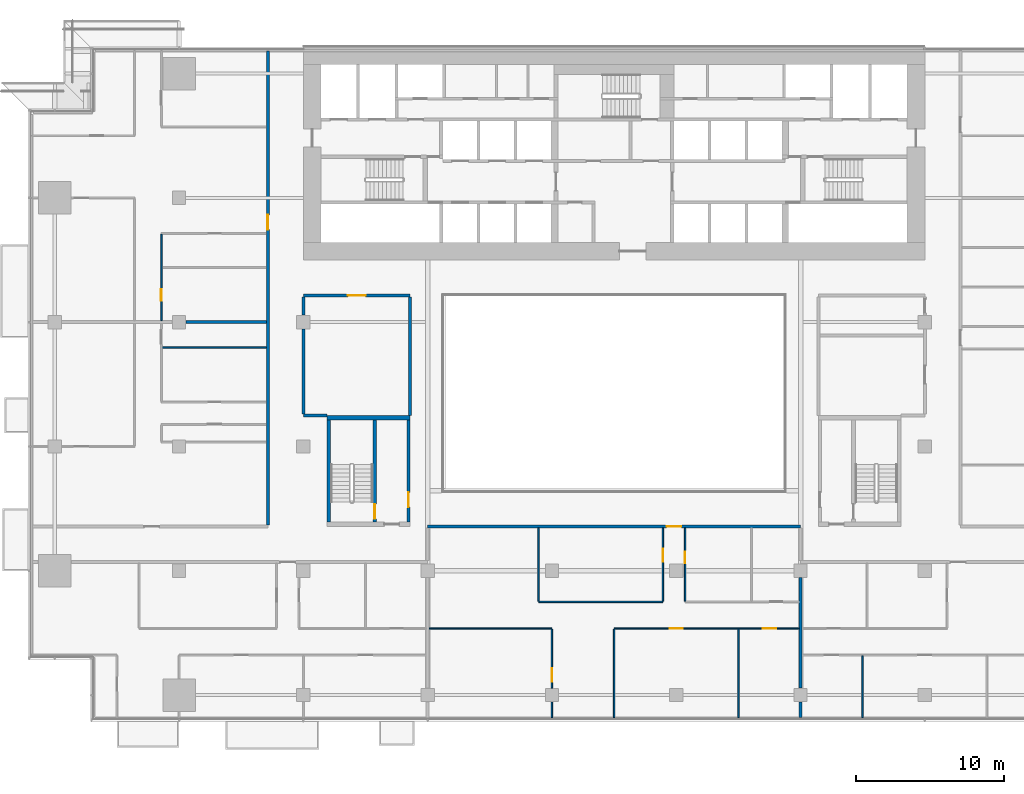
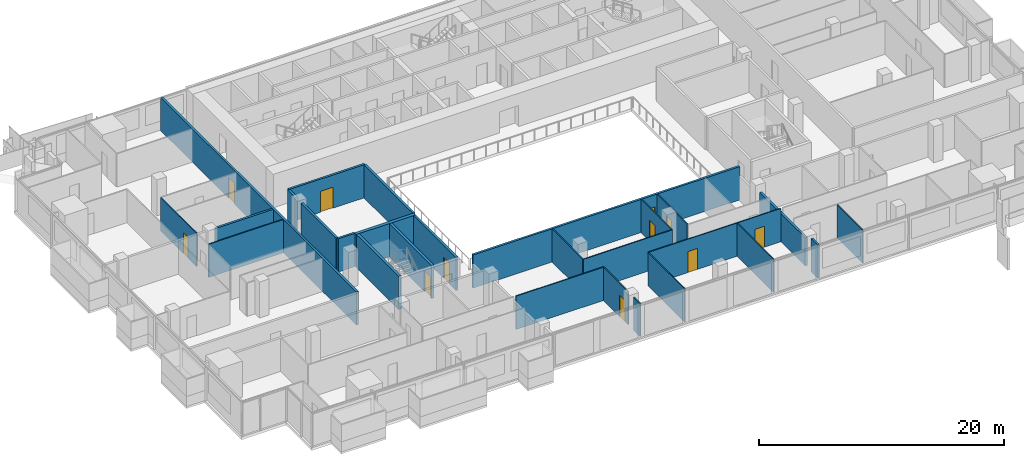
# One storey, part 18 of 29: 27 walls, 11 doors, 11 openings.
"""IFC4 building model written with IfcOpenShell, lengths in metres."""

from ifc_helpers import new_model, si_unit, direction, frame, frame_2d, origin, place, context, subcontext, project, spatial, rectangle, extrude, material, layer, layer_set, type_object, element, fill, save


model = new_model("IFC4")

# Units and contexts
model_context = context("Model", 3, precision=1e-05, world=origin(), true_north=direction((0.0, 1.0)))
body_context = subcontext(model_context, "Body", "Model", "MODEL_VIEW")
ifc_project = project(units=[si_unit("LENGTHUNIT", "METRE"), si_unit("AREAUNIT", "SQUARE_METRE"), si_unit("VOLUMEUNIT", "CUBIC_METRE"), si_unit("PLANEANGLEUNIT", "RADIAN"), si_unit("MASSUNIT", "GRAM", prefix="KILO")], contexts=[model_context])

# Site, building, storey
site_placement = place(None, origin())
site = spatial("IfcSite", under=ifc_project, at=site_placement, CompositionType="ELEMENT")
building_placement = place(site_placement, origin())
building = spatial("IfcBuilding", under=site, at=building_placement, Name="Saffron Gate Tower", CompositionType="ELEMENT")
storey_placement = place(building_placement, frame((0.0, 0.0, 48.0)))
storey = spatial("IfcBuildingStorey", under=building, at=storey_placement, Name="L10", CompositionType="ELEMENT", Elevation=48.0)

# Wall, opening, door
ifc_material_1 = material(Name="Gypsum board partition on steel studs", Category="steel")
ifc_layer_1 = layer(ifc_material_1, 0.199951171875)
ifc_layer_set_1 = layer_set([ifc_layer_1], Name="CW10 Core partition 200")
wall_type_1 = type_object("IfcWallType", Name="CW10 Core partition 200", PredefinedType="PARTITIONING", material=ifc_layer_set_1)
wall_1_placement = place(storey_placement, frame((73.699951171875, 43.5, 0.0), z_axis=(0.0, 0.0, 1.0), x_axis=(0.0, 1.0, 0.0)))
wall_1 = element("IfcWall", 1, at=wall_1_placement, inside=storey, type_object=wall_type_1, Name="Wall CW10-L10-D-4", PredefinedType="PARTITIONING", context=body_context, shape_type="SweptSolid", body=[
    extrude(rectangle(XDim=6.89990234375, YDim=0.199951171875, at=frame_2d((3.449951171875, 0.0))), origin(), (0.0, 0.0, 1.0), 3.320068359375),
])
opening_1_placement = place(wall_1_placement, frame((1.0, 0.0, 0.0)))
opening_1 = element("IfcOpeningElement", 2, at=opening_1_placement, cuts=wall_1, Name="Opening CR-19", PredefinedType="OPENING", context=body_context, shape_type="SweptSolid", body=[
    extrude(rectangle(XDim=1.0, YDim=2.10009765625, at=frame_2d((0.5, 1.050048828125))), frame((0.0, 0.10986328125, 0.0), z_axis=(0.0, -1.0, 0.0), x_axis=(1.0, 0.0, 0.0)), (0.0, 0.0, 1.0), 0.219970703125),
])
ifc_material_2 = material(Name="Steel fire door set", Category="steel")
door_type_1 = type_object("IfcDoorType", Name="CD4 Lobby door 1000x2100 EI 120", OperationType="NOTDEFINED", PredefinedType="DOOR", material=ifc_material_2)
door_1_placement = place(opening_1_placement, origin())
door_1 = element("IfcDoor", 3, at=door_1_placement, inside=storey, type_object=door_type_1, Name="DOOR CR-19", OperationType="SINGLE_SWING_RIGHT", OverallHeight=2.10009765625, OverallWidth=1.0, PredefinedType="DOOR", context=body_context, shape_type="SweptSolid", body=[
    extrude(rectangle(XDim=1.0, YDim=2.10009765625, at=frame_2d((0.5, 1.050048828125))), frame((0.0, 0.02490234375, 0.0), z_axis=(0.0, -1.0, 0.0), x_axis=(1.0, 0.0, 0.0)), (0.0, 0.0, 1.0), 0.050048828125),
])
fill(opening_1, door_1)

# Wall
ifc_material_3 = material(Name="Concrete C70", Category="concrete")
ifc_layer_2 = layer(ifc_material_3, 0.25)
ifc_layer_set_2 = layer_set([ifc_layer_2], Name="CW2 RC core wall 250 C70")
wall_type_2 = type_object("IfcWallType", Name="CW2 RC core wall 250 C70", PredefinedType="SOLIDWALL", material=ifc_layer_set_2)
wall_2_placement = place(storey_placement, frame((68.324951171875, 43.5, 0.0), z_axis=(0.0, 0.0, 1.0), x_axis=(0.0, 1.0, 0.0)))
element("IfcWall", 4, at=wall_2_placement, inside=storey, type_object=wall_type_2, Name="Wall CW2-L10-D-2", PredefinedType="SOLIDWALL", context=body_context, shape_type="SweptSolid", body=[
    extrude(rectangle(XDim=6.89990234375, YDim=0.25, at=frame_2d((3.449951171875, 0.0))), origin(), (0.0, 0.0, 1.0), 3.320068359375),
])

# Wall, opening, door
wall_3_placement = place(storey_placement, frame((71.425048828125, 43.5, 0.0), z_axis=(0.0, 0.0, 1.0), x_axis=(0.0, 1.0, 0.0)))
wall_3 = element("IfcWall", 5, at=wall_3_placement, inside=storey, type_object=wall_type_2, Name="Wall CW2-L10-D-3", PredefinedType="SOLIDWALL", context=body_context, shape_type="SweptSolid", body=[
    extrude(rectangle(XDim=6.89990234375, YDim=0.25, at=frame_2d((3.449951171875, 0.0))), origin(), (0.0, 0.0, 1.0), 3.320068359375),
])
opening_2_placement = place(wall_3_placement, frame((0.199951171875, 0.0, 0.0)))
opening_2 = element("IfcOpeningElement", 6, at=opening_2_placement, cuts=wall_3, Name="Opening CR-20", PredefinedType="OPENING", context=body_context, shape_type="SweptSolid", body=[
    extrude(rectangle(XDim=1.0, YDim=2.10009765625, at=frame_2d((0.5, 1.050048828125))), frame((0.0, 0.135009765625, 0.0), z_axis=(0.0, -1.0, 0.0), x_axis=(1.0, 0.0, 0.0)), (0.0, 0.0, 1.0), 0.27001953125),
])
door_type_2 = type_object("IfcDoorType", Name="CD5 Stair door 1000x2100 EI 120", OperationType="NOTDEFINED", PredefinedType="DOOR", material=ifc_material_2)
door_2_placement = place(opening_2_placement, origin())
door_2 = element("IfcDoor", 7, at=door_2_placement, inside=storey, type_object=door_type_2, Name="DOOR CR-20", OperationType="SINGLE_SWING_LEFT", OverallHeight=2.10009765625, OverallWidth=1.0, PredefinedType="DOOR", context=body_context, shape_type="SweptSolid", body=[
    extrude(rectangle(XDim=1.0, YDim=2.10009765625, at=frame_2d((0.5, 1.050048828125))), frame((0.0, 0.02490234375, 0.0), z_axis=(0.0, -1.0, 0.0), x_axis=(1.0, 0.0, 0.0)), (0.0, 0.0, 1.0), 0.050048828125),
])
fill(opening_2, door_2)

# Walls
ifc_layer_3 = layer(ifc_material_3, 0.300048828125)
ifc_layer_set_3 = layer_set([ifc_layer_3], Name="CW5 RC core wall 300 C70")
wall_type_3 = type_object("IfcWallType", Name="CW5 RC core wall 300 C70", PredefinedType="SOLIDWALL", material=ifc_layer_set_3)
wall_4_placement = place(storey_placement, frame((68.199951171875, 50.550048828125, 0.0), z_axis=(0.0, 0.0, 1.0), x_axis=(1.0, 0.0, 0.0)))
element("IfcWall", 8, at=wall_4_placement, inside=storey, type_object=wall_type_3, Name="Wall CW5-L10-D-5", PredefinedType="SOLIDWALL", context=body_context, shape_type="SweptSolid", body=[
    extrude(rectangle(XDim=5.60009765625, YDim=0.300048828125, at=frame_2d((2.800048828125, 0.0))), origin(), (0.0, 0.0, 1.0), 3.320068359375),
])
ifc_material_4 = material(Name="Plasterboard on steel studs", Category="steel")
ifc_layer_4 = layer(ifc_material_4, 0.10009765625)
ifc_layer_set_4 = layer_set([ifc_layer_4], Name="PW1 Partition 100")
wall_type_4 = type_object("IfcWallType", Name="PW1 Partition 100", PredefinedType="PARTITIONING", material=ifc_layer_set_4)
wall_5_placement = place(storey_placement, frame((82.5, 38.10009765625, 0.0), z_axis=(0.0, 0.0, 1.0), x_axis=(1.0, 0.0, 0.0)))
element("IfcWall", 9, at=wall_5_placement, inside=storey, type_object=wall_type_4, Name="Partition A2-7", PredefinedType="PARTITIONING", context=body_context, shape_type="SweptSolid", body=[
    extrude(rectangle(XDim=8.39990234375, YDim=0.10009765625, at=frame_2d((4.199951171875, 0.0))), origin(), (0.0, 0.0, 1.0), 3.320068359375),
])
wall_6_placement = place(storey_placement, frame((57.050048828125, 55.280517578125, 0.0), z_axis=(0.0, 0.0, 1.0), x_axis=(1.0, 0.0, 0.0)))
element("IfcWall", 10, at=wall_6_placement, inside=storey, type_object=wall_type_4, Name="Partition A2-28", PredefinedType="PARTITIONING", context=body_context, shape_type="SweptSolid", body=[
    extrude(rectangle(XDim=7.050048828125, YDim=0.10009765625, at=frame_2d((3.52490234375, 0.0))), origin(), (0.0, 0.0, 1.0), 3.320068359375),
])
wall_7_placement = place(storey_placement, frame((82.5, 43.10009765625, 0.0), z_axis=(0.0, 0.0, 1.0), x_axis=(0.0, -1.0, 0.0)))
element("IfcWall", 11, at=wall_7_placement, inside=storey, type_object=wall_type_4, Name="Partition A2-71", PredefinedType="PARTITIONING", context=body_context, shape_type="SweptSolid", body=[
    extrude(rectangle(XDim=4.9501953125, YDim=0.10009765625, at=frame_2d((2.47509765625, 0.0))), origin(), (0.0, 0.0, 1.0), 3.320068359375),
])
wall_8_placement = place(storey_placement, frame((83.39990234375, 31.330078125, 0.0), z_axis=(0.0, 0.0, 1.0), x_axis=(0.0, -1.0, 0.0)))
element("IfcWall", 12, at=wall_8_placement, inside=storey, type_object=wall_type_4, Name="Partition A2-72", PredefinedType="PARTITIONING", context=body_context, shape_type="SweptSolid", body=[
    extrude(rectangle(XDim=1.050048828125, YDim=0.10009765625, at=frame_2d((0.52490234375, 0.0))), origin(), (0.0, 0.0, 1.0), 3.320068359375),
])

# Wall, opening, door
wall_9_placement = place(storey_placement, frame((83.39990234375, 32.27001953125, 0.0), z_axis=(0.0, 0.0, 1.0), x_axis=(0.0, 1.0, 0.0)))
wall_9 = element("IfcWall", 13, at=wall_9_placement, inside=storey, type_object=wall_type_4, Name="Partition A2-73", PredefinedType="PARTITIONING", context=body_context, shape_type="SweptSolid", body=[
    extrude(rectangle(XDim=3.97998046875, YDim=0.10009765625, at=frame_2d((1.989990234375, 0.0))), origin(), (0.0, 0.0, 1.0), 3.320068359375),
])
opening_3_placement = place(wall_9_placement, frame((0.429931640625, 0.0, 0.0)))
opening_3 = element("IfcOpeningElement", 14, at=opening_3_placement, cuts=wall_9, Name="Opening A2-12", PredefinedType="OPENING", context=body_context, shape_type="SweptSolid", body=[
    extrude(rectangle(XDim=0.89990234375, YDim=2.10009765625, at=frame_2d((0.449951171875, 1.050048828125))), frame((0.0, 0.06005859375, 0.0), z_axis=(0.0, -1.0, 0.0), x_axis=(1.0, 0.0, 0.0)), (0.0, 0.0, 1.0), 0.1201171875),
])
ifc_material_5 = material(Name="Timber door set", Category="wood")
door_type_3 = type_object("IfcDoorType", Name="RD1 Room door 900x2100", OperationType="NOTDEFINED", PredefinedType="DOOR", material=ifc_material_5)
door_3_placement = place(opening_3_placement, origin())
door_3 = element("IfcDoor", 15, at=door_3_placement, inside=storey, type_object=door_type_3, Name="Door A2-12", OperationType="SINGLE_SWING_LEFT", OverallHeight=2.10009765625, OverallWidth=0.89990234375, PredefinedType="DOOR", context=body_context, shape_type="SweptSolid", body=[
    extrude(rectangle(XDim=0.89990234375, YDim=2.10009765625, at=frame_2d((0.449951171875, 1.050048828125))), frame((0.0, 0.02490234375, 0.0), z_axis=(0.0, -1.0, 0.0), x_axis=(1.0, 0.0, 0.0)), (0.0, 0.0, 1.0), 0.050048828125),
])
fill(opening_3, door_3)

# Wall
wall_10_placement = place(storey_placement, frame((87.60009765625, 36.25, 0.0), z_axis=(0.0, 0.0, 1.0), x_axis=(0.0, -1.0, 0.0)))
element("IfcWall", 16, at=wall_10_placement, inside=storey, type_object=wall_type_4, Name="Partition A2-74", PredefinedType="PARTITIONING", context=body_context, shape_type="SweptSolid", body=[
    extrude(rectangle(XDim=5.969970703125, YDim=0.10009765625, at=frame_2d((2.98486328125, 0.0))), origin(), (0.0, 0.0, 1.0), 3.320068359375),
])

# Wall, opening, door
wall_11_placement = place(storey_placement, frame((90.89990234375, 38.14990234375, 0.0), z_axis=(0.0, 0.0, 1.0), x_axis=(0.0, 1.0, 0.0)))
wall_11 = element("IfcWall", 17, at=wall_11_placement, inside=storey, type_object=wall_type_4, Name="Partition A2-75", PredefinedType="PARTITIONING", context=body_context, shape_type="SweptSolid", body=[
    extrude(rectangle(XDim=4.9501953125, YDim=0.10009765625, at=frame_2d((2.47509765625, 0.0))), origin(), (0.0, 0.0, 1.0), 3.320068359375),
])
opening_4_placement = place(wall_11_placement, frame((2.64990234375, 0.0, 0.0)))
opening_4 = element("IfcOpeningElement", 18, at=opening_4_placement, cuts=wall_11, Name="Opening A2-15", PredefinedType="OPENING", context=body_context, shape_type="SweptSolid", body=[
    extrude(rectangle(XDim=0.89990234375, YDim=2.10009765625, at=frame_2d((0.449951171875, 1.050048828125))), frame((0.0, 0.06005859375, 0.0), z_axis=(0.0, -1.0, 0.0), x_axis=(1.0, 0.0, 0.0)), (0.0, 0.0, 1.0), 0.1201171875),
])
door_4_placement = place(opening_4_placement, origin())
door_4 = element("IfcDoor", 19, at=door_4_placement, inside=storey, type_object=door_type_3, Name="Door A2-15", OperationType="SINGLE_SWING_RIGHT", OverallHeight=2.10009765625, OverallWidth=0.89990234375, PredefinedType="DOOR", context=body_context, shape_type="SweptSolid", body=[
    extrude(rectangle(XDim=0.89990234375, YDim=2.10009765625, at=frame_2d((0.449951171875, 1.050048828125))), frame((0.0, 0.02490234375, 0.0), z_axis=(0.0, -1.0, 0.0), x_axis=(1.0, 0.0, 0.0)), (0.0, 0.0, 1.0), 0.050048828125),
])
fill(opening_4, door_4)

wall_12_placement = place(storey_placement, frame((92.39990234375, 43.10009765625, 0.0), z_axis=(0.0, 0.0, 1.0), x_axis=(0.0, -1.0, 0.0)))
wall_12 = element("IfcWall", 20, at=wall_12_placement, inside=storey, type_object=wall_type_4, Name="Partition A2-76", PredefinedType="PARTITIONING", context=body_context, shape_type="SweptSolid", body=[
    extrude(rectangle(XDim=4.9501953125, YDim=0.10009765625, at=frame_2d((2.47509765625, 0.0))), origin(), (0.0, 0.0, 1.0), 3.320068359375),
])
opening_5_placement = place(wall_12_placement, frame((1.60009765625, 0.0, 0.0)))
opening_5 = element("IfcOpeningElement", 21, at=opening_5_placement, cuts=wall_12, Name="Opening A2-35", PredefinedType="OPENING", context=body_context, shape_type="SweptSolid", body=[
    extrude(rectangle(XDim=0.800048828125, YDim=2.10009765625, at=frame_2d((0.39990234375, 1.050048828125))), frame((0.0, 0.06005859375, 0.0), z_axis=(0.0, -1.0, 0.0), x_axis=(1.0, 0.0, 0.0)), (0.0, 0.0, 1.0), 0.1201171875),
])
door_type_4 = type_object("IfcDoorType", Name="RD2 Bathroom door 800x2100", OperationType="NOTDEFINED", PredefinedType="DOOR", material=ifc_material_5)
door_5_placement = place(opening_5_placement, origin())
door_5 = element("IfcDoor", 22, at=door_5_placement, inside=storey, type_object=door_type_4, Name="Door A2-35", OperationType="SINGLE_SWING_LEFT", OverallHeight=2.10009765625, OverallWidth=0.800048828125, PredefinedType="DOOR", context=body_context, shape_type="SweptSolid", body=[
    extrude(rectangle(XDim=0.800048828125, YDim=2.10009765625, at=frame_2d((0.39990234375, 1.050048828125))), frame((0.0, 0.02490234375, 0.0), z_axis=(0.0, -1.0, 0.0), x_axis=(1.0, 0.0, 0.0)), (0.0, 0.0, 1.0), 0.050048828125),
])
fill(opening_5, door_5)

# Walls
wall_13_placement = place(storey_placement, frame((96.0, 36.25, 0.0), z_axis=(0.0, 0.0, 1.0), x_axis=(0.0, -1.0, 0.0)))
element("IfcWall", 23, at=wall_13_placement, inside=storey, type_object=wall_type_4, Name="Partition A2-77", PredefinedType="PARTITIONING", context=body_context, shape_type="SweptSolid", body=[
    extrude(rectangle(XDim=5.969970703125, YDim=0.10009765625, at=frame_2d((2.98486328125, 0.0))), origin(), (0.0, 0.0, 1.0), 3.320068359375),
])
wall_14_placement = place(storey_placement, frame((104.39990234375, 34.449951171875, 0.0), z_axis=(0.0, 0.0, 1.0), x_axis=(0.0, -1.0, 0.0)))
element("IfcWall", 24, at=wall_14_placement, inside=storey, type_object=wall_type_4, Name="Partition A2-83", PredefinedType="PARTITIONING", context=body_context, shape_type="SweptSolid", body=[
    extrude(rectangle(XDim=4.169921875, YDim=0.10009765625, at=frame_2d((2.0849609375, 0.0))), origin(), (0.0, 0.0, 1.0), 3.320068359375),
])
wall_15_placement = place(storey_placement, frame((75.10009765625, 36.300048828125, 0.0), z_axis=(0.0, 0.0, 1.0), x_axis=(1.0, 0.0, 0.0)))
element("IfcWall", 25, at=wall_15_placement, inside=storey, type_object=wall_type_4, Name="Partition A2-100", PredefinedType="PARTITIONING", context=body_context, shape_type="SweptSolid", body=[
    extrude(rectangle(XDim=8.2998046875, YDim=0.10009765625, at=frame_2d((4.14990234375, 0.0))), origin(), (0.0, 0.0, 1.0), 3.320068359375),
])

# Wall, openings, doors
wall_16_placement = place(storey_placement, frame((100.10009765625, 36.300048828125, 0.0), z_axis=(0.0, 0.0, 1.0), x_axis=(-1.0, 0.0, 0.0)))
wall_16 = element("IfcWall", 26, at=wall_16_placement, inside=storey, type_object=wall_type_4, Name="Partition A2-101", PredefinedType="PARTITIONING", context=body_context, shape_type="SweptSolid", body=[
    extrude(rectangle(XDim=12.5, YDim=0.10009765625, at=frame_2d((6.25, 0.0))), origin(), (0.0, 0.0, 1.0), 3.320068359375),
])
opening_6_placement = place(wall_16_placement, frame((1.550048828125, 0.0, 0.0)))
opening_6 = element("IfcOpeningElement", 27, at=opening_6_placement, cuts=wall_16, Name="Opening A2-14", PredefinedType="OPENING", context=body_context, shape_type="SweptSolid", body=[
    extrude(rectangle(XDim=0.89990234375, YDim=2.10009765625, at=frame_2d((0.449951171875, 1.050048828125))), frame((0.0, 0.06005859375, 0.0), z_axis=(0.0, -1.0, 0.0), x_axis=(1.0, 0.0, 0.0)), (0.0, 0.0, 1.0), 0.1201171875),
])
opening_7_placement = place(wall_16_placement, frame((7.85009765625, 0.0, 0.0)))
opening_7 = element("IfcOpeningElement", 28, at=opening_7_placement, cuts=wall_16, Name="Opening A2-13", PredefinedType="OPENING", context=body_context, shape_type="SweptSolid", body=[
    extrude(rectangle(XDim=0.89990234375, YDim=2.10009765625, at=frame_2d((0.449951171875, 1.050048828125))), frame((0.0, 0.06005859375, 0.0), z_axis=(0.0, -1.0, 0.0), x_axis=(1.0, 0.0, 0.0)), (0.0, 0.0, 1.0), 0.1201171875),
])
door_6_placement = place(opening_6_placement, origin())
door_6 = element("IfcDoor", 29, at=door_6_placement, inside=storey, type_object=door_type_3, Name="Door A2-14", OperationType="SINGLE_SWING_LEFT", OverallHeight=2.10009765625, OverallWidth=0.89990234375, PredefinedType="DOOR", context=body_context, shape_type="SweptSolid", body=[
    extrude(rectangle(XDim=0.89990234375, YDim=2.10009765625, at=frame_2d((0.449951171875, 1.050048828125))), frame((0.0, 0.02490234375, 0.0), z_axis=(0.0, -1.0, 0.0), x_axis=(1.0, 0.0, 0.0)), (0.0, 0.0, 1.0), 0.050048828125),
])
fill(opening_6, door_6)
door_7_placement = place(opening_7_placement, origin())
door_7 = element("IfcDoor", 30, at=door_7_placement, inside=storey, type_object=door_type_3, Name="Door A2-13", OperationType="SINGLE_SWING_RIGHT", OverallHeight=2.10009765625, OverallWidth=0.89990234375, PredefinedType="DOOR", context=body_context, shape_type="SweptSolid", body=[
    extrude(rectangle(XDim=0.89990234375, YDim=2.10009765625, at=frame_2d((0.449951171875, 1.050048828125))), frame((0.0, 0.02490234375, 0.0), z_axis=(0.0, -1.0, 0.0), x_axis=(1.0, 0.0, 0.0)), (0.0, 0.0, 1.0), 0.050048828125),
])
fill(opening_7, door_7)

# Wall, opening, door
wall_17_placement = place(storey_placement, frame((57.0, 62.949951171875, 0.0), z_axis=(0.0, 0.0, 1.0), x_axis=(0.0, -1.0, 0.0)))
wall_17 = element("IfcWall", 31, at=wall_17_placement, inside=storey, type_object=wall_type_4, Name="Partition A2-106", PredefinedType="PARTITIONING", context=body_context, shape_type="SweptSolid", body=[
    extrude(rectangle(XDim=5.849853515625, YDim=0.10009765625, at=frame_2d((2.9248046875, 0.0))), origin(), (0.0, 0.0, 1.0), 3.320068359375),
])
opening_8_placement = place(wall_17_placement, frame((3.709716796875, 0.0, 0.0)))
opening_8 = element("IfcOpeningElement", 32, at=opening_8_placement, cuts=wall_17, Name="Opening A2-40", PredefinedType="OPENING", context=body_context, shape_type="SweptSolid", body=[
    extrude(rectangle(XDim=0.800048828125, YDim=2.10009765625, at=frame_2d((0.39990234375, 1.050048828125))), frame((0.0, 0.06005859375, 0.0), z_axis=(0.0, -1.0, 0.0), x_axis=(1.0, 0.0, 0.0)), (0.0, 0.0, 1.0), 0.1201171875),
])
door_8_placement = place(opening_8_placement, origin())
door_8 = element("IfcDoor", 33, at=door_8_placement, inside=storey, type_object=door_type_4, Name="Door A2-40", OperationType="SINGLE_SWING_RIGHT", OverallHeight=2.10009765625, OverallWidth=0.800048828125, PredefinedType="DOOR", context=body_context, shape_type="SweptSolid", body=[
    extrude(rectangle(XDim=0.800048828125, YDim=2.10009765625, at=frame_2d((0.39990234375, 1.050048828125))), frame((0.0, 0.02490234375, 0.0), z_axis=(0.0, -1.0, 0.0), x_axis=(1.0, 0.0, 0.0)), (0.0, 0.0, 1.0), 0.050048828125),
])
fill(opening_8, door_8)

# Walls
ifc_material_6 = material(Name="Clay brick masonry, rendered", Category="masonry")
ifc_layer_5 = layer(ifc_material_6, 0.199951171875)
ifc_layer_set_5 = layer_set([ifc_layer_5], Name="PW2 Demising wall 200")
wall_type_5 = type_object("IfcWallType", Name="PW2 Demising wall 200", PredefinedType="PARTITIONING", material=ifc_layer_set_5)
wall_18_placement = place(storey_placement, frame((58.669921875, 57.0, 0.0), z_axis=(0.0, 0.0, 1.0), x_axis=(1.0, 0.0, 0.0)))
element("IfcWall", 34, at=wall_18_placement, inside=storey, type_object=wall_type_5, Name="Wall A2-34", PredefinedType="PARTITIONING", context=body_context, shape_type="SweptSolid", body=[
    extrude(rectangle(XDim=5.43017578125, YDim=0.199951171875, at=frame_2d((2.715087890625, 0.0))), origin(), (0.0, 0.0, 1.0), 3.320068359375),
])
wall_19_placement = place(storey_placement, frame((100.199951171875, 31.330078125, 0.0), z_axis=(0.0, 0.0, 1.0), x_axis=(0.0, -1.0, 0.0)))
element("IfcWall", 35, at=wall_19_placement, inside=storey, type_object=wall_type_5, Name="Wall A2-80", PredefinedType="PARTITIONING", context=body_context, shape_type="SweptSolid", body=[
    extrude(rectangle(XDim=1.050048828125, YDim=0.199951171875, at=frame_2d((0.52490234375, 0.0))), origin(), (0.0, 0.0, 1.0), 3.320068359375),
])
wall_20_placement = place(storey_placement, frame((100.199951171875, 39.72998046875, 0.0), z_axis=(0.0, 0.0, 1.0), x_axis=(0.0, -1.0, 0.0)))
element("IfcWall", 36, at=wall_20_placement, inside=storey, type_object=wall_type_5, Name="Wall A2-81", PredefinedType="PARTITIONING", context=body_context, shape_type="SweptSolid", body=[
    extrude(rectangle(XDim=7.4599609375, YDim=0.199951171875, at=frame_2d((3.72998046875, 0.0))), origin(), (0.0, 0.0, 1.0), 2.830078125),
])

# Wall, opening, door
ifc_layer_6 = layer(ifc_material_6, 0.199951171875)
ifc_layer_set_6 = layer_set([ifc_layer_6], Name="PW3 Corridor wall 200")
wall_type_6 = type_object("IfcWallType", Name="PW3 Corridor wall 200", PredefinedType="PARTITIONING", material=ifc_layer_set_6)
wall_21_placement = place(storey_placement, frame((100.199951171875, 43.199951171875, 0.0), z_axis=(0.0, 0.0, 1.0), x_axis=(-1.0, 0.0, 0.0)))
wall_21 = element("IfcWall", 37, at=wall_21_placement, inside=storey, type_object=wall_type_6, Name="Wall A2-14", PredefinedType="PARTITIONING", context=body_context, shape_type="SweptSolid", body=[
    extrude(rectangle(XDim=25.199951171875, YDim=0.199951171875, at=frame_2d((12.60009765625, 0.0))), origin(), (0.0, 0.0, 1.0), 3.320068359375),
])
opening_9_placement = place(wall_21_placement, frame((8.050048828125, 0.0, 0.0)))
opening_9 = element("IfcOpeningElement", 38, at=opening_9_placement, cuts=wall_21, Name="Opening A2-2", PredefinedType="OPENING", context=body_context, shape_type="SweptSolid", body=[
    extrude(rectangle(XDim=1.0, YDim=2.10009765625, at=frame_2d((0.5, 1.050048828125))), frame((0.0, 0.10986328125, 0.0), z_axis=(0.0, -1.0, 0.0), x_axis=(1.0, 0.0, 0.0)), (0.0, 0.0, 1.0), 0.219970703125),
])
ifc_material_7 = material(Name="Timber fire door set", Category="wood")
door_type_5 = type_object("IfcDoorType", Name="FD1 Flat entry door 1000x2100", OperationType="NOTDEFINED", PredefinedType="DOOR", material=ifc_material_7)
door_9_placement = place(opening_9_placement, origin())
door_9 = element("IfcDoor", 39, at=door_9_placement, inside=storey, type_object=door_type_5, Name="Door A2-2", OperationType="SINGLE_SWING_RIGHT", OverallHeight=2.10009765625, OverallWidth=1.0, PredefinedType="DOOR", context=body_context, shape_type="SweptSolid", body=[
    extrude(rectangle(XDim=1.0, YDim=2.10009765625, at=frame_2d((0.5, 1.050048828125))), frame((0.0, 0.02490234375, 0.0), z_axis=(0.0, -1.0, 0.0), x_axis=(1.0, 0.0, 0.0)), (0.0, 0.0, 1.0), 0.050048828125),
])
fill(opening_9, door_9)

# Wall
wall_22_placement = place(storey_placement, frame((66.60009765625, 50.699951171875, 0.0), z_axis=(0.0, 0.0, 1.0), x_axis=(1.0, 0.0, 0.0)))
element("IfcWall", 40, at=wall_22_placement, inside=storey, type_object=wall_type_6, Name="Wall A2-24", PredefinedType="PARTITIONING", context=body_context, shape_type="SweptSolid", body=[
    extrude(rectangle(XDim=1.599853515625, YDim=0.199951171875, at=frame_2d((0.7998046875, 0.0))), origin(), (0.0, 0.0, 1.0), 3.320068359375),
])

# Wall, opening, door
wall_23_placement = place(storey_placement, frame((73.800048828125, 58.800048828125, 0.0), z_axis=(0.0, 0.0, 1.0), x_axis=(-1.0, 0.0, 0.0)))
wall_23 = element("IfcWall", 41, at=wall_23_placement, inside=storey, type_object=wall_type_6, Name="Wall A2-37", PredefinedType="PARTITIONING", context=body_context, shape_type="SweptSolid", body=[
    extrude(rectangle(XDim=7.199951171875, YDim=0.199951171875, at=frame_2d((3.60009765625, 0.0))), origin(), (0.0, 0.0, 1.0), 3.320068359375),
])
opening_10_placement = place(wall_23_placement, frame((3.0, 0.0, 0.0)))
opening_10 = element("IfcOpeningElement", 42, at=opening_10_placement, cuts=wall_23, Name="Opening A2-46", PredefinedType="OPENING", context=body_context, shape_type="SweptSolid", body=[
    extrude(rectangle(XDim=1.199951171875, YDim=2.10009765625, at=frame_2d((0.60009765625, 1.050048828125))), frame((0.0, 0.10986328125, 0.0), z_axis=(0.0, -1.0, 0.0), x_axis=(1.0, 0.0, 0.0)), (0.0, 0.0, 1.0), 0.219970703125),
])
door_type_6 = type_object("IfcDoorType", Name="HD1 Hall door 1200x2100", OperationType="NOTDEFINED", PredefinedType="DOOR", material=ifc_material_5)
door_10_placement = place(opening_10_placement, origin())
door_10 = element("IfcDoor", 43, at=door_10_placement, inside=storey, type_object=door_type_6, Name="Door A2-46", OperationType="SINGLE_SWING_LEFT", OverallHeight=2.10009765625, OverallWidth=1.199951171875, PredefinedType="DOOR", context=body_context, shape_type="SweptSolid", body=[
    extrude(rectangle(XDim=1.199951171875, YDim=2.10009765625, at=frame_2d((0.60009765625, 1.050048828125))), frame((0.0, 0.02490234375, 0.0), z_axis=(0.0, -1.0, 0.0), x_axis=(1.0, 0.0, 0.0)), (0.0, 0.0, 1.0), 0.050048828125),
])
fill(opening_10, door_10)

wall_24_placement = place(storey_placement, frame((64.199951171875, 43.300048828125, 0.0), z_axis=(0.0, 0.0, 1.0), x_axis=(0.0, 1.0, 0.0)))
wall_24 = element("IfcWall", 44, at=wall_24_placement, inside=storey, type_object=wall_type_6, Name="Wall A2-59", PredefinedType="PARTITIONING", context=body_context, shape_type="SweptSolid", body=[
    extrude(rectangle(XDim=32.02001953125, YDim=0.199951171875, at=frame_2d((16.010009765625, 0.0))), origin(), (0.0, 0.0, 1.0), 3.320068359375),
])
opening_11_placement = place(wall_24_placement, frame((19.949951171875, 0.0, 0.0)))
opening_11 = element("IfcOpeningElement", 45, at=opening_11_placement, cuts=wall_24, Name="Opening A2-5", PredefinedType="OPENING", context=body_context, shape_type="SweptSolid", body=[
    extrude(rectangle(XDim=1.0, YDim=2.10009765625, at=frame_2d((0.5, 1.050048828125))), frame((0.0, 0.10986328125, 0.0), z_axis=(0.0, -1.0, 0.0), x_axis=(1.0, 0.0, 0.0)), (0.0, 0.0, 1.0), 0.219970703125),
])
door_11_placement = place(opening_11_placement, origin())
door_11 = element("IfcDoor", 46, at=door_11_placement, inside=storey, type_object=door_type_5, Name="Door A2-5", OperationType="SINGLE_SWING_RIGHT", OverallHeight=2.10009765625, OverallWidth=1.0, PredefinedType="DOOR", context=body_context, shape_type="SweptSolid", body=[
    extrude(rectangle(XDim=1.0, YDim=2.10009765625, at=frame_2d((0.5, 1.050048828125))), frame((0.0, 0.02490234375, 0.0), z_axis=(0.0, -1.0, 0.0), x_axis=(1.0, 0.0, 0.0)), (0.0, 0.0, 1.0), 0.050048828125),
])
fill(opening_11, door_11)

# Walls
wall_25_placement = place(storey_placement, frame((66.60009765625, 56.530029296875, 0.0), z_axis=(0.0, 0.0, 1.0), x_axis=(0.0, -1.0, 0.0)))
element("IfcWall", 47, at=wall_25_placement, inside=storey, type_object=wall_type_6, Name="Wall A2-62", PredefinedType="PARTITIONING", context=body_context, shape_type="SweptSolid", body=[
    extrude(rectangle(XDim=5.72998046875, YDim=0.199951171875, at=frame_2d((2.864990234375, 0.0))), origin(), (0.0, 0.0, 1.0), 3.320068359375),
])
wall_26_placement = place(storey_placement, frame((66.60009765625, 58.699951171875, 0.0), z_axis=(0.0, 0.0, 1.0), x_axis=(0.0, -1.0, 0.0)))
element("IfcWall", 48, at=wall_26_placement, inside=storey, type_object=wall_type_6, Name="Wall A2-63", PredefinedType="PARTITIONING", context=body_context, shape_type="SweptSolid", body=[
    extrude(rectangle(XDim=1.22998046875, YDim=0.199951171875, at=frame_2d((0.614990234375, 0.0))), origin(), (0.0, 0.0, 1.0), 3.320068359375),
])
wall_27_placement = place(storey_placement, frame((73.800048828125, 58.699951171875, 0.0), z_axis=(0.0, 0.0, 1.0), x_axis=(0.0, -1.0, 0.0)))
element("IfcWall", 49, at=wall_27_placement, inside=storey, type_object=wall_type_6, Name="Wall A2-67", PredefinedType="PARTITIONING", context=body_context, shape_type="SweptSolid", body=[
    extrude(rectangle(XDim=8.0, YDim=0.199951171875, at=frame_2d((4.0, 0.0))), origin(), (0.0, 0.0, 1.0), 3.320068359375),
])

save(model, "model.ifc")
